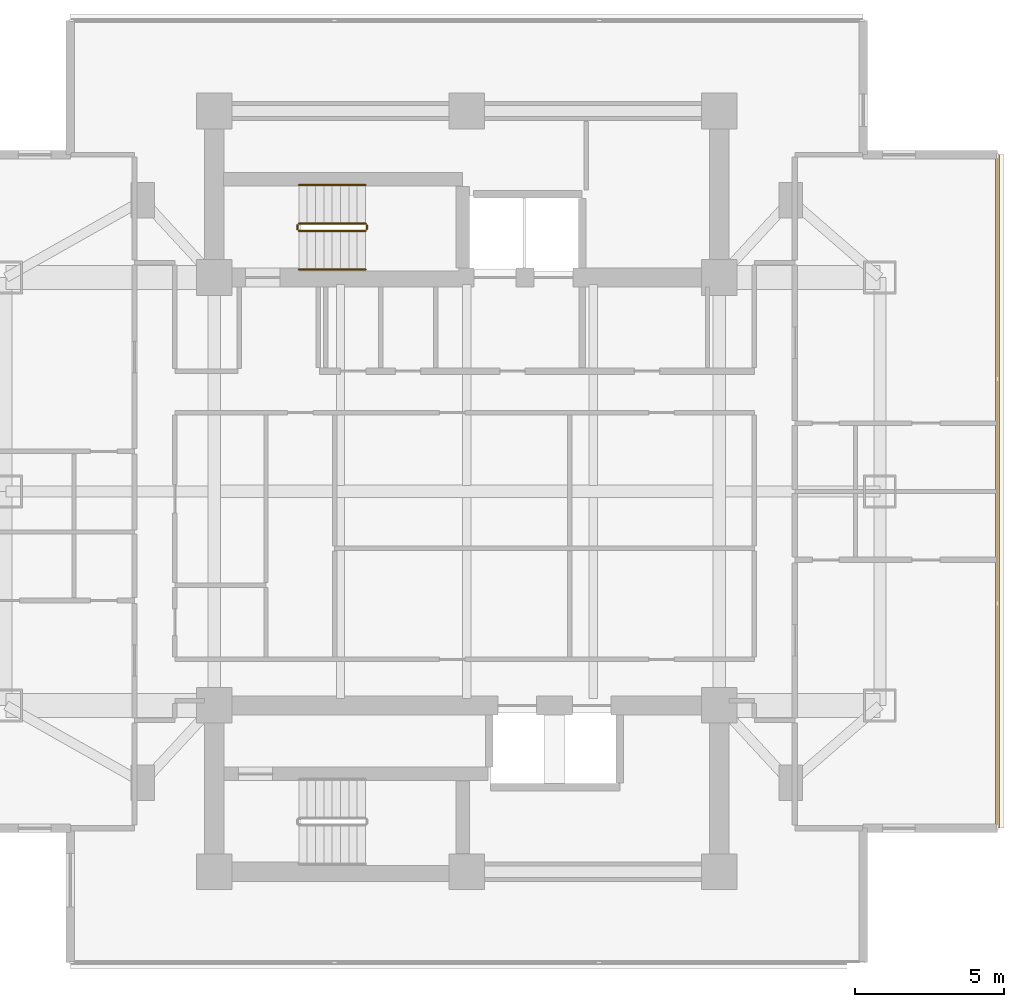
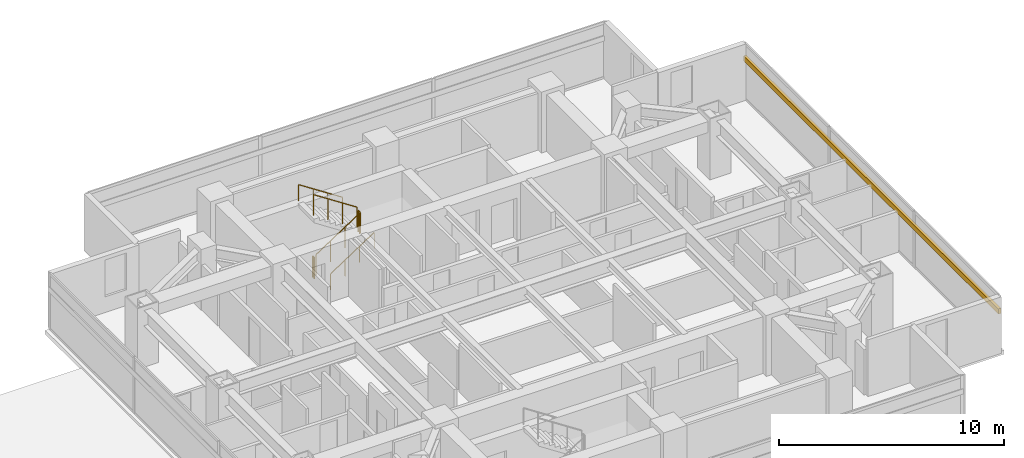
# One storey, part 25 of 26: 6 railings, 1 shading device.
"""IFC4 building model written with IfcOpenShell, lengths in metres."""

from ifc_helpers import new_model, si_unit, direction, frame, origin, origin_2d, place, context, subcontext, project, spatial, rectangle, circle, extrude, material, material_profile, profile_set, type_object, element, save


model = new_model("IFC4")

# Units and contexts
model_context = context("Model", 3, precision=1e-05, world=origin(), true_north=direction((0.0, 1.0)))
body_context = subcontext(model_context, "Body", "Model", "MODEL_VIEW")
ifc_project = project(units=[si_unit("LENGTHUNIT", "METRE"), si_unit("AREAUNIT", "SQUARE_METRE"), si_unit("VOLUMEUNIT", "CUBIC_METRE"), si_unit("PLANEANGLEUNIT", "RADIAN"), si_unit("MASSUNIT", "GRAM", prefix="KILO")], contexts=[model_context])

# Site, building, storey
site_placement = place(None, origin())
site = spatial("IfcSite", under=ifc_project, at=site_placement, CompositionType="ELEMENT")
building_placement = place(site_placement, origin())
building = spatial("IfcBuilding", under=site, at=building_placement, Name="Mirazonda Arch Towers", CompositionType="ELEMENT")
storey_placement = place(building_placement, frame((0.0, 0.0, 98.300048828125)))
storey = spatial("IfcBuildingStorey", under=building, at=storey_placement, Name="L27", CompositionType="ELEMENT", Elevation=98.300048828125)

# Shading device
ifc_material_1 = material(Name="Kiln-Fired Architectural Terracotta", Category="masonry")
ifc_material_profile = material_profile(ifc_material_1, rectangle(XDim=0.139892578125, YDim=0.280029296875, at=origin_2d()), Name="TERRA-BAG-140x280")
ifc_profile_set = profile_set([ifc_material_profile], Name="Kiln-Fired Architectural Terracotta")
shading_device_type = type_object("IfcShadingDeviceType", Name="BAGUETTE-3", PredefinedType="USERDEFINED", material=ifc_profile_set)
shading_device_placement = place(storey_placement, frame((94.3564453125, 16.6689453125, 2.203125), z_axis=(0.0, 1.0, 0.0), x_axis=(-1.0, 0.0, 0.0)))
element("IfcShadingDevice", 1, at=shading_device_placement, inside=storey, type_object=shading_device_type, Name="L27 Glazed Terracotta Sun-Screen Baguette CW-L27-T2-E", ObjectType="BAGUETTE", PredefinedType="USERDEFINED", context=body_context, shape_type="SweptSolid", body=[
    extrude(rectangle(XDim=0.139892578125, YDim=0.280029296875, at=origin_2d()), origin(), (0.0, 0.0, 1.0), 22.662109375),
])

# Railings
ifc_material_2 = material(Name="Architectural Brushed Steel S355", Category="steel")
railing_type_1 = type_object("IfcRailingType", Name="GUARD-STAIR-1120", PredefinedType="GUARDRAIL", material=ifc_material_2)
railing_1_placement = place(storey_placement, frame((70.85009765625, 36.77001953125, 0.183349609375)))
element("IfcRailing", 2, at=railing_1_placement, inside=storey, type_object=railing_type_1, Name="L27 ST-T2N stair guard 1", PredefinedType="GUARDRAIL", context=body_context, shape_type="SweptSolid", body=[
    extrude(circle(Radius=0.02392578125, at=origin_2d()), frame((0.0, 0.0, 1.1259765625), z_axis=(0.836636935527, 0.0, 0.547757827979), x_axis=(0.0, 1.0, 0.0)), (0.0, 0.0, 1.0), 2.677490234375),
    extrude(circle(Radius=0.02099609375, at=origin_2d()), origin(), (0.0, 0.0, 1.0), 1.101806640625),
    extrude(circle(Radius=0.02099609375, at=origin_2d()), frame((0.74658203125, 0.0, 0.48876953125)), (0.0, 0.0, 1.0), 1.101806640625),
    extrude(circle(Radius=0.02099609375, at=origin_2d()), frame((1.493408203125, 0.0, 0.977783203125)), (0.0, 0.0, 1.0), 1.101806640625),
    extrude(circle(Radius=0.02099609375, at=origin_2d()), frame((2.239990234375, 0.0, 1.466552734375)), (0.0, 0.0, 1.0), 1.101806640625),
])
railing_2_placement = place(storey_placement, frame((73.139892578125, 36.820068359375, 1.64990234375)))
element("IfcRailing", 3, at=railing_2_placement, inside=storey, type_object=railing_type_1, Name="L27 ST-T2N stair guard 2", PredefinedType="GUARDRAIL", context=body_context, shape_type="SweptSolid", body=[
    extrude(circle(Radius=0.02392578125, at=origin_2d()), frame((0.0, 0.0, 1.1259765625), z_axis=(0.0, 1.0, 0.0), x_axis=(-1.0, 0.0, 0.0)), (0.0, 0.0, 1.0), 0.139892578125),
    extrude(circle(Radius=0.02099609375, at=origin_2d()), origin(), (0.0, 0.0, 1.0), 1.101806640625),
    extrude(circle(Radius=0.02099609375, at=origin_2d()), frame((0.0, 0.139892578125, 0.0)), (0.0, 0.0, 1.0), 1.101806640625),
])
railing_3_placement = place(storey_placement, frame((73.090087890625, 37.010009765625, 1.833251953125)))
element("IfcRailing", 4, at=railing_3_placement, inside=storey, type_object=railing_type_1, Name="L27 ST-T2N stair guard 3", PredefinedType="GUARDRAIL", context=body_context, shape_type="SweptSolid", body=[
    extrude(circle(Radius=0.02392578125, at=origin_2d()), frame((0.0, 0.0, 1.1259765625), z_axis=(-0.836595146698, 0.0, 0.547821650285), x_axis=(0.0, -1.0, 0.0)), (0.0, 0.0, 1.0), 2.677490234375),
    extrude(circle(Radius=0.02099609375, at=origin_2d()), origin(), (0.0, 0.0, 1.0), 1.101806640625),
    extrude(circle(Radius=0.02099609375, at=origin_2d()), frame((-0.74658203125, 0.0, 0.489013671875)), (0.0, 0.0, 1.0), 1.101806640625),
    extrude(circle(Radius=0.02099609375, at=origin_2d()), frame((-1.493408203125, 0.0, 0.977783203125)), (0.0, 0.0, 1.0), 1.101806640625),
    extrude(circle(Radius=0.02099609375, at=origin_2d()), frame((-2.239990234375, 0.0, 1.466796875)), (0.0, 0.0, 1.0), 1.101806640625),
])
railing_4_placement = place(storey_placement, frame((70.800048828125, 36.820068359375, 0.0)))
element("IfcRailing", 5, at=railing_4_placement, inside=storey, type_object=railing_type_1, Name="L27 ST-T2N stair guard 4", PredefinedType="GUARDRAIL", context=body_context, shape_type="SweptSolid", body=[
    extrude(circle(Radius=0.02392578125, at=origin_2d()), frame((0.0, 0.0, 1.1259765625), z_axis=(0.0, 1.0, 0.0), x_axis=(-1.0, 0.0, 0.0)), (0.0, 0.0, 1.0), 0.139892578125),
    extrude(circle(Radius=0.02099609375, at=origin_2d()), origin(), (0.0, 0.0, 1.0), 1.101806640625),
    extrude(circle(Radius=0.02099609375, at=origin_2d()), frame((0.0, 0.139892578125, 0.0)), (0.0, 0.0, 1.0), 1.101806640625),
])
railing_type_2 = type_object("IfcRailingType", Name="HANDRAIL-915", PredefinedType="HANDRAIL", material=ifc_material_2)
railing_5_placement = place(storey_placement, frame((70.85009765625, 35.469970703125, 0.183349609375)))
element("IfcRailing", 6, at=railing_5_placement, inside=storey, type_object=railing_type_2, Name="L27 ST-T2N stair handrail 1", PredefinedType="HANDRAIL", context=body_context, shape_type="SweptSolid", body=[
    extrude(circle(Radius=0.02392578125, at=origin_2d()), frame((0.0, 0.0, 0.8759765625), z_axis=(0.836636935527, 0.0, 0.547757827979), x_axis=(0.0, 1.0, 0.0)), (0.0, 0.0, 1.0), 2.677490234375),
    extrude(circle(Radius=0.02099609375, at=origin_2d()), origin(), (0.0, 0.0, 1.0), 0.851806640625),
    extrude(circle(Radius=0.02099609375, at=origin_2d()), frame((0.74658203125, 0.0, 0.48876953125)), (0.0, 0.0, 1.0), 0.851806640625),
    extrude(circle(Radius=0.02099609375, at=origin_2d()), frame((1.493408203125, 0.0, 0.977783203125)), (0.0, 0.0, 1.0), 0.851806640625),
    extrude(circle(Radius=0.02099609375, at=origin_2d()), frame((2.239990234375, 0.0, 1.466552734375)), (0.0, 0.0, 1.0), 0.851806640625),
])
railing_6_placement = place(storey_placement, frame((73.090087890625, 38.31005859375, 1.833251953125)))
element("IfcRailing", 7, at=railing_6_placement, inside=storey, type_object=railing_type_2, Name="L27 ST-T2N stair handrail 2", PredefinedType="HANDRAIL", context=body_context, shape_type="SweptSolid", body=[
    extrude(circle(Radius=0.02392578125, at=origin_2d()), frame((0.0, 0.0, 0.8759765625), z_axis=(-0.836595146698, 0.0, 0.547821650285), x_axis=(0.0, -1.0, 0.0)), (0.0, 0.0, 1.0), 2.677490234375),
    extrude(circle(Radius=0.02099609375, at=origin_2d()), origin(), (0.0, 0.0, 1.0), 0.851806640625),
    extrude(circle(Radius=0.02099609375, at=origin_2d()), frame((-0.74658203125, 0.0, 0.489013671875)), (0.0, 0.0, 1.0), 0.851806640625),
    extrude(circle(Radius=0.02099609375, at=origin_2d()), frame((-1.493408203125, 0.0, 0.977783203125)), (0.0, 0.0, 1.0), 0.851806640625),
    extrude(circle(Radius=0.02099609375, at=origin_2d()), frame((-2.239990234375, 0.0, 1.466796875)), (0.0, 0.0, 1.0), 0.851806640625),
])

save(model, "model.ifc")
